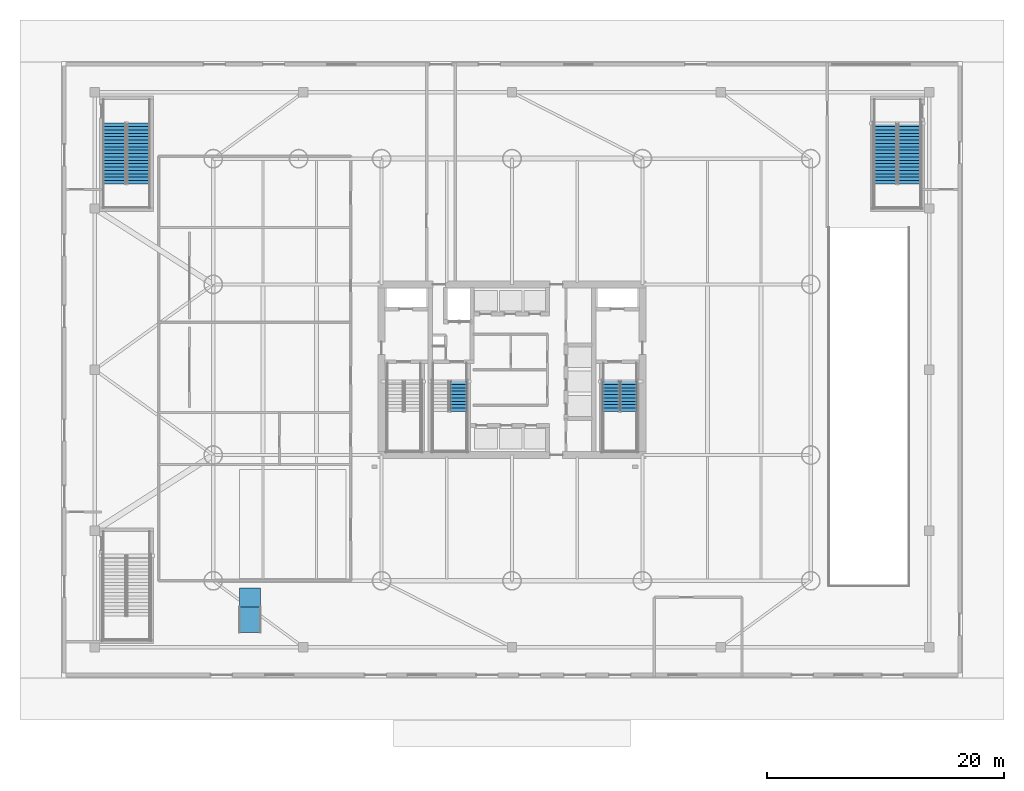
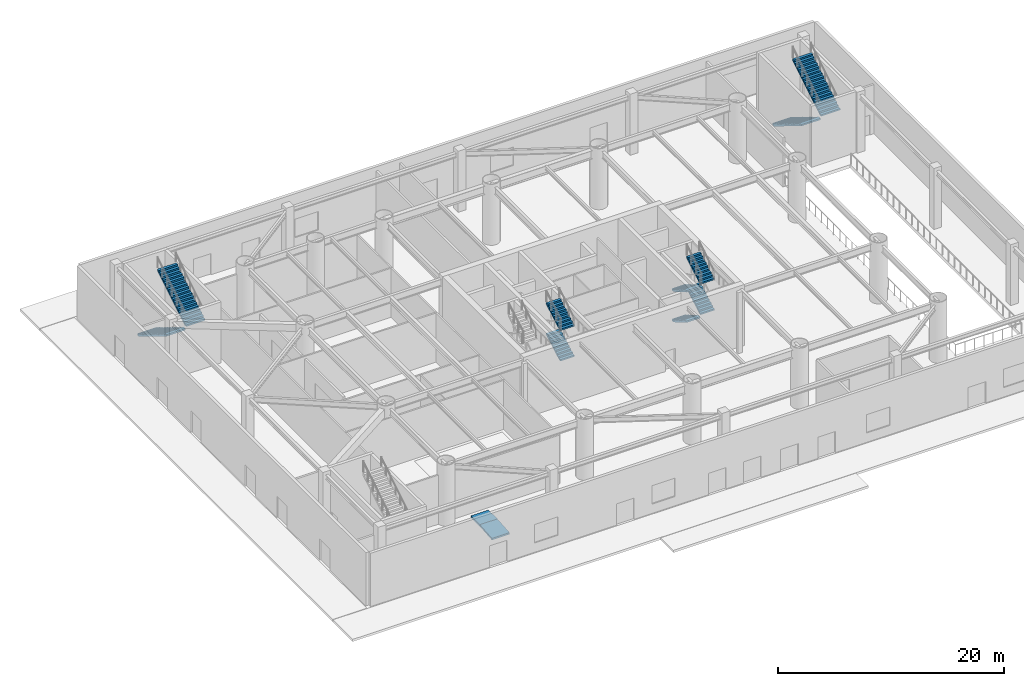
# One storey, part 8 of 15: 10 stair flights, 1 ramp, 1 ramp flight, 4 elements without a shape of their own.
"""IFC4 building model written with IfcOpenShell, lengths in metres."""

from ifc_helpers import new_model, si_unit, direction, frame, origin, place, context, subcontext, project, spatial, polyline, outline, extrude, material, layer, layer_set, type_object, element, aggregate, save


model = new_model("IFC4")

# Units and contexts
model_context = context("Model", 3, precision=1e-05, world=origin(), true_north=direction((0.0, 1.0)))
body_context = subcontext(model_context, "Body", "Model", "MODEL_VIEW")
ifc_project = project(units=[si_unit("LENGTHUNIT", "METRE"), si_unit("AREAUNIT", "SQUARE_METRE"), si_unit("VOLUMEUNIT", "CUBIC_METRE"), si_unit("PLANEANGLEUNIT", "RADIAN"), si_unit("MASSUNIT", "GRAM", prefix="KILO")], contexts=[model_context])

# Site, building, storey
site_placement = place(None, origin())
site = spatial("IfcSite", under=ifc_project, at=site_placement, CompositionType="ELEMENT")
building_placement = place(site_placement, origin())
building = spatial("IfcBuilding", under=site, at=building_placement, Name="Bramvorn Convention Spire", CompositionType="ELEMENT")
storey_placement = place(building_placement, origin())
storey = spatial("IfcBuildingStorey", under=building, at=storey_placement, Name="L00", CompositionType="ELEMENT", Elevation=0.0)

# Stair, stair flights
ifc_material_1 = material(Name="Concrete C40/50 Grand Exit Stair", Category="concrete")
stair_type_1 = type_object("IfcStairType", Name="ST-PODIUM-1950", PredefinedType="HALF_TURN_STAIR", material=ifc_material_1)
stair_1_placement = place(storey_placement, origin())
stair_1 = element("IfcStair", 1, at=stair_1_placement, inside=storey, type_object=stair_type_1, Name="L00 Protected Exit Stair ST5", PredefinedType="HALF_TURN_STAIR")
ifc_material_2 = material(Name="Concrete C40/50 Precast Stair Flight", Category="concrete")
stair_flight_type_1 = type_object("IfcStairFlightType", Name="STF-PODIUM-1950", PredefinedType="STRAIGHT", material=ifc_material_2)
stair_flight_1_placement = place(storey_placement, frame((69.4951171875, 46.800048828125, 0.0), z_axis=(0.0, 0.0, 1.0), x_axis=(0.0, -1.0, 0.0)))
stair_flight_1 = element("IfcStairFlight", 2, at=stair_flight_1_placement, type_object=stair_flight_type_1, Name="ST5 flight 1", NumberOfRisers=19, NumberOfTreads=18, PredefinedType="STRAIGHT", RiserHeight=0.173684211, TreadLength=0.285, context=body_context, shape_type="SweptSolid", body=[
    extrude(outline(polyline([(0.0, 0.0), (0.0, 0.173583984375), (0.284912109375, 0.173583984375), (0.284912109375, 0.347412109375), (0.570068359375, 0.347412109375), (0.570068359375, 0.52099609375), (0.85498046875, 0.52099609375), (0.85498046875, 0.69482421875), (1.139892578125, 0.69482421875), (1.139892578125, 0.868408203125), (1.425048828125, 0.868408203125), (1.425048828125, 1.0419921875), (1.7099609375, 1.0419921875), (1.7099609375, 1.2158203125), (1.9951171875, 1.2158203125), (1.9951171875, 1.389404296875), (2.280029296875, 1.389404296875), (2.280029296875, 1.563232421875), (2.56494140625, 1.563232421875), (2.56494140625, 1.73681640625), (2.85009765625, 1.73681640625), (2.85009765625, 1.91064453125), (3.135009765625, 1.91064453125), (3.135009765625, 2.084228515625), (3.419921875, 2.084228515625), (3.419921875, 2.2578125), (3.705078125, 2.2578125), (3.705078125, 2.431640625), (3.989990234375, 2.431640625), (3.989990234375, 2.605224609375), (4.27490234375, 2.605224609375), (4.27490234375, 2.779052734375), (4.56005859375, 2.779052734375), (4.56005859375, 2.95263671875), (4.844970703125, 2.95263671875), (4.844970703125, 3.126220703125), (5.1298828125, 3.126220703125), (5.1298828125, 3.300048828125), (5.1298828125, 2.95068359375), (0.2880859375, 0.0), (0.0, 0.0)])), frame((0.0, 0.97509765625, 0.0), z_axis=(0.0, -1.0, 0.0), x_axis=(1.0, 0.0, 0.0)), (0.0, 0.0, 1.0), 1.949951171875),
])
stair_flight_2_placement = place(storey_placement, frame((71.52490234375, 41.669921875, 3.300048828125), z_axis=(0.0, 0.0, 1.0), x_axis=(0.0, 1.0, 0.0)))
stair_flight_2 = element("IfcStairFlight", 3, at=stair_flight_2_placement, type_object=stair_flight_type_1, Name="ST5 flight 2", NumberOfRisers=19, NumberOfTreads=18, PredefinedType="STRAIGHT", RiserHeight=0.173684211, TreadLength=0.285, context=body_context, shape_type="SweptSolid", body=[
    extrude(outline(polyline([(0.0, 0.0), (0.0, 0.173583984375), (0.284912109375, 0.173583984375), (0.284912109375, 0.347412109375), (0.570068359375, 0.347412109375), (0.570068359375, 0.52099609375), (0.85498046875, 0.52099609375), (0.85498046875, 0.69482421875), (1.139892578125, 0.69482421875), (1.139892578125, 0.868408203125), (1.425048828125, 0.868408203125), (1.425048828125, 1.0419921875), (1.7099609375, 1.0419921875), (1.7099609375, 1.2158203125), (1.9951171875, 1.2158203125), (1.9951171875, 1.389404296875), (2.280029296875, 1.389404296875), (2.280029296875, 1.563232421875), (2.56494140625, 1.563232421875), (2.56494140625, 1.73681640625), (2.85009765625, 1.73681640625), (2.85009765625, 1.91064453125), (3.135009765625, 1.91064453125), (3.135009765625, 2.084228515625), (3.419921875, 2.084228515625), (3.419921875, 2.2578125), (3.705078125, 2.2578125), (3.705078125, 2.431640625), (3.989990234375, 2.431640625), (3.989990234375, 2.605224609375), (4.27490234375, 2.605224609375), (4.27490234375, 2.779052734375), (4.56005859375, 2.779052734375), (4.56005859375, 2.95263671875), (4.844970703125, 2.95263671875), (4.844970703125, 3.126220703125), (5.1298828125, 3.126220703125), (5.1298828125, 3.300048828125), (5.1298828125, 2.95068359375), (0.2880859375, 0.0), (0.0, 0.0)])), frame((0.0, 0.97509765625, 0.0), z_axis=(0.0, -1.0, 0.0), x_axis=(1.0, 0.0, 0.0)), (0.0, 0.0, 1.0), 1.949951171875),
])
aggregate(stair_1, [stair_flight_1, stair_flight_2])

stair_2_placement = place(storey_placement, origin())
stair_2 = element("IfcStair", 4, at=stair_2_placement, inside=storey, type_object=stair_type_1, Name="L00 Protected Exit Stair ST6", PredefinedType="HALF_TURN_STAIR")
stair_flight_3_placement = place(storey_placement, frame((4.47509765625, 46.800048828125, 0.0), z_axis=(0.0, 0.0, 1.0), x_axis=(0.0, -1.0, 0.0)))
stair_flight_3 = element("IfcStairFlight", 5, at=stair_flight_3_placement, type_object=stair_flight_type_1, Name="ST6 flight 1", NumberOfRisers=19, NumberOfTreads=18, PredefinedType="STRAIGHT", RiserHeight=0.173684211, TreadLength=0.285, context=body_context, shape_type="SweptSolid", body=[
    extrude(outline(polyline([(0.0, 0.0), (0.0, 0.173583984375), (0.284912109375, 0.173583984375), (0.284912109375, 0.347412109375), (0.570068359375, 0.347412109375), (0.570068359375, 0.52099609375), (0.85498046875, 0.52099609375), (0.85498046875, 0.69482421875), (1.139892578125, 0.69482421875), (1.139892578125, 0.868408203125), (1.425048828125, 0.868408203125), (1.425048828125, 1.0419921875), (1.7099609375, 1.0419921875), (1.7099609375, 1.2158203125), (1.9951171875, 1.2158203125), (1.9951171875, 1.389404296875), (2.280029296875, 1.389404296875), (2.280029296875, 1.563232421875), (2.56494140625, 1.563232421875), (2.56494140625, 1.73681640625), (2.85009765625, 1.73681640625), (2.85009765625, 1.91064453125), (3.135009765625, 1.91064453125), (3.135009765625, 2.084228515625), (3.419921875, 2.084228515625), (3.419921875, 2.2578125), (3.705078125, 2.2578125), (3.705078125, 2.431640625), (3.989990234375, 2.431640625), (3.989990234375, 2.605224609375), (4.27490234375, 2.605224609375), (4.27490234375, 2.779052734375), (4.56005859375, 2.779052734375), (4.56005859375, 2.95263671875), (4.844970703125, 2.95263671875), (4.844970703125, 3.126220703125), (5.1298828125, 3.126220703125), (5.1298828125, 3.300048828125), (5.1298828125, 2.95068359375), (0.2880859375, 0.0), (0.0, 0.0)])), frame((0.0, 0.97509765625, 0.0), z_axis=(0.0, -1.0, 0.0), x_axis=(1.0, 0.0, 0.0)), (0.0, 0.0, 1.0), 1.949951171875),
])
stair_flight_4_placement = place(storey_placement, frame((6.5048828125, 41.669921875, 3.300048828125), z_axis=(0.0, 0.0, 1.0), x_axis=(0.0, 1.0, 0.0)))
stair_flight_4 = element("IfcStairFlight", 6, at=stair_flight_4_placement, type_object=stair_flight_type_1, Name="ST6 flight 2", NumberOfRisers=19, NumberOfTreads=18, PredefinedType="STRAIGHT", RiserHeight=0.173684211, TreadLength=0.285, context=body_context, shape_type="SweptSolid", body=[
    extrude(outline(polyline([(0.0, 0.0), (0.0, 0.173583984375), (0.284912109375, 0.173583984375), (0.284912109375, 0.347412109375), (0.570068359375, 0.347412109375), (0.570068359375, 0.52099609375), (0.85498046875, 0.52099609375), (0.85498046875, 0.69482421875), (1.139892578125, 0.69482421875), (1.139892578125, 0.868408203125), (1.425048828125, 0.868408203125), (1.425048828125, 1.0419921875), (1.7099609375, 1.0419921875), (1.7099609375, 1.2158203125), (1.9951171875, 1.2158203125), (1.9951171875, 1.389404296875), (2.280029296875, 1.389404296875), (2.280029296875, 1.563232421875), (2.56494140625, 1.563232421875), (2.56494140625, 1.73681640625), (2.85009765625, 1.73681640625), (2.85009765625, 1.91064453125), (3.135009765625, 1.91064453125), (3.135009765625, 2.084228515625), (3.419921875, 2.084228515625), (3.419921875, 2.2578125), (3.705078125, 2.2578125), (3.705078125, 2.431640625), (3.989990234375, 2.431640625), (3.989990234375, 2.605224609375), (4.27490234375, 2.605224609375), (4.27490234375, 2.779052734375), (4.56005859375, 2.779052734375), (4.56005859375, 2.95263671875), (4.844970703125, 2.95263671875), (4.844970703125, 3.126220703125), (5.1298828125, 3.126220703125), (5.1298828125, 3.300048828125), (5.1298828125, 2.95068359375), (0.2880859375, 0.0), (0.0, 0.0)])), frame((0.0, 0.97509765625, 0.0), z_axis=(0.0, -1.0, 0.0), x_axis=(1.0, 0.0, 0.0)), (0.0, 0.0, 1.0), 1.949951171875),
])
aggregate(stair_2, [stair_flight_3, stair_flight_4])

ifc_material_3 = material(Name="Concrete C40/50 Precast Stair", Category="concrete")
stair_type_2 = type_object("IfcStairType", Name="ST-TOWER-1550", PredefinedType="HALF_TURN_STAIR", material=ifc_material_3)
stair_3_placement = place(storey_placement, origin())
stair_3 = element("IfcStair", 7, at=stair_3_placement, inside=storey, type_object=stair_type_2, Name="L00 Protected Exit Stair ST2", PredefinedType="HALF_TURN_STAIR")
stair_flight_type_2 = type_object("IfcStairFlightType", Name="STF-TOWER-1550", PredefinedType="STRAIGHT", material=ifc_material_2)
stair_flight_5_placement = place(storey_placement, frame((46.35498046875, 25.050048828125, 0.0), z_axis=(0.0, 0.0, 1.0), x_axis=(0.0, -1.0, 0.0)))
stair_flight_5 = element("IfcStairFlight", 8, at=stair_flight_5_placement, type_object=stair_flight_type_2, Name="ST2 flight 1", NumberOfRisers=10, NumberOfTreads=9, PredefinedType="STRAIGHT", RiserHeight=0.165, TreadLength=0.285, context=body_context, shape_type="SweptSolid", body=[
    extrude(outline(polyline([(0.0, 0.0), (0.0, 0.1650390625), (0.284912109375, 0.1650390625), (0.284912109375, 0.330078125), (0.570068359375, 0.330078125), (0.570068359375, 0.4951171875), (0.85498046875, 0.4951171875), (0.85498046875, 0.659912109375), (1.139892578125, 0.659912109375), (1.139892578125, 0.824951171875), (1.425048828125, 0.824951171875), (1.425048828125, 0.989990234375), (1.7099609375, 0.989990234375), (1.7099609375, 1.155029296875), (1.9951171875, 1.155029296875), (1.9951171875, 1.320068359375), (2.280029296875, 1.320068359375), (2.280029296875, 1.485107421875), (2.56494140625, 1.485107421875), (2.56494140625, 1.64990234375), (2.56494140625, 1.311767578125), (0.299072265625, 0.0), (0.0, 0.0)])), frame((0.0, 0.705078125, 0.0), z_axis=(0.0, -1.0, 0.0), x_axis=(1.0, 0.0, 0.0)), (0.0, 0.0, 1.0), 1.409912109375),
])
stair_flight_6_placement = place(storey_placement, frame((47.844970703125, 22.485107421875, 1.64990234375), z_axis=(0.0, 0.0, 1.0), x_axis=(0.0, 1.0, 0.0)))
stair_flight_6 = element("IfcStairFlight", 9, at=stair_flight_6_placement, type_object=stair_flight_type_2, Name="ST2 flight 2", NumberOfRisers=10, NumberOfTreads=9, PredefinedType="STRAIGHT", RiserHeight=0.165, TreadLength=0.285, context=body_context, shape_type="SweptSolid", body=[
    extrude(outline(polyline([(0.0, 0.0), (0.0, 0.1650390625), (0.284912109375, 0.1650390625), (0.284912109375, 0.330078125), (0.570068359375, 0.330078125), (0.570068359375, 0.4951171875), (0.85498046875, 0.4951171875), (0.85498046875, 0.659912109375), (1.139892578125, 0.659912109375), (1.139892578125, 0.824951171875), (1.425048828125, 0.824951171875), (1.425048828125, 0.989990234375), (1.7099609375, 0.989990234375), (1.7099609375, 1.155029296875), (1.9951171875, 1.155029296875), (1.9951171875, 1.320068359375), (2.280029296875, 1.320068359375), (2.280029296875, 1.485107421875), (2.56494140625, 1.485107421875), (2.56494140625, 1.64990234375), (2.56494140625, 1.311767578125), (0.299072265625, 0.0), (0.0, 0.0)])), frame((0.0, 0.705078125, 0.0), z_axis=(0.0, -1.0, 0.0), x_axis=(1.0, 0.0, 0.0)), (0.0, 0.0, 1.0), 1.409912109375),
])
stair_flight_7_placement = place(storey_placement, frame((46.35498046875, 25.050048828125, 3.300048828125), z_axis=(0.0, 0.0, 1.0), x_axis=(0.0, -1.0, 0.0)))
stair_flight_7 = element("IfcStairFlight", 10, at=stair_flight_7_placement, type_object=stair_flight_type_2, Name="ST2 flight 3", NumberOfRisers=10, NumberOfTreads=9, PredefinedType="STRAIGHT", RiserHeight=0.165, TreadLength=0.285, context=body_context, shape_type="SweptSolid", body=[
    extrude(outline(polyline([(0.0, 0.0), (0.0, 0.1650390625), (0.284912109375, 0.1650390625), (0.284912109375, 0.330078125), (0.570068359375, 0.330078125), (0.570068359375, 0.4951171875), (0.85498046875, 0.4951171875), (0.85498046875, 0.659912109375), (1.139892578125, 0.659912109375), (1.139892578125, 0.824951171875), (1.425048828125, 0.824951171875), (1.425048828125, 0.989990234375), (1.7099609375, 0.989990234375), (1.7099609375, 1.155029296875), (1.9951171875, 1.155029296875), (1.9951171875, 1.320068359375), (2.280029296875, 1.320068359375), (2.280029296875, 1.485107421875), (2.56494140625, 1.485107421875), (2.56494140625, 1.64990234375), (2.56494140625, 1.311767578125), (0.299072265625, 0.0), (0.0, 0.0)])), frame((0.0, 0.705078125, 0.0), z_axis=(0.0, -1.0, 0.0), x_axis=(1.0, 0.0, 0.0)), (0.0, 0.0, 1.0), 1.409912109375),
])
stair_flight_8_placement = place(storey_placement, frame((47.844970703125, 22.485107421875, 4.949951171875), z_axis=(0.0, 0.0, 1.0), x_axis=(0.0, 1.0, 0.0)))
stair_flight_8 = element("IfcStairFlight", 11, at=stair_flight_8_placement, type_object=stair_flight_type_2, Name="ST2 flight 4", NumberOfRisers=10, NumberOfTreads=9, PredefinedType="STRAIGHT", RiserHeight=0.165, TreadLength=0.285, context=body_context, shape_type="SweptSolid", body=[
    extrude(outline(polyline([(0.0, 0.0), (0.0, 0.1650390625), (0.284912109375, 0.1650390625), (0.284912109375, 0.330078125), (0.570068359375, 0.330078125), (0.570068359375, 0.4951171875), (0.85498046875, 0.4951171875), (0.85498046875, 0.659912109375), (1.139892578125, 0.659912109375), (1.139892578125, 0.824951171875), (1.425048828125, 0.824951171875), (1.425048828125, 0.989990234375), (1.7099609375, 0.989990234375), (1.7099609375, 1.155029296875), (1.9951171875, 1.155029296875), (1.9951171875, 1.320068359375), (2.280029296875, 1.320068359375), (2.280029296875, 1.485107421875), (2.56494140625, 1.485107421875), (2.56494140625, 1.64990234375), (2.56494140625, 1.311767578125), (0.299072265625, 0.0), (0.0, 0.0)])), frame((0.0, 0.705078125, 0.0), z_axis=(0.0, -1.0, 0.0), x_axis=(1.0, 0.0, 0.0)), (0.0, 0.0, 1.0), 1.409912109375),
])
aggregate(stair_3, [stair_flight_5, stair_flight_6, stair_flight_7, stair_flight_8])

stair_4_placement = place(storey_placement, origin())
stair_4 = element("IfcStair", 12, at=stair_4_placement, inside=storey, type_object=stair_type_2, Name="L00 Protected Exit Stair ST3", PredefinedType="HALF_TURN_STAIR")
stair_flight_9_placement = place(storey_placement, frame((33.4951171875, 22.485107421875, 1.64990234375), z_axis=(0.0, 0.0, 1.0), x_axis=(0.0, 1.0, 0.0)))
stair_flight_9 = element("IfcStairFlight", 13, at=stair_flight_9_placement, type_object=stair_flight_type_2, Name="ST3 flight 2", NumberOfRisers=10, NumberOfTreads=9, PredefinedType="STRAIGHT", RiserHeight=0.165, TreadLength=0.285, context=body_context, shape_type="SweptSolid", body=[
    extrude(outline(polyline([(0.0, 0.0), (0.0, 0.1650390625), (0.284912109375, 0.1650390625), (0.284912109375, 0.330078125), (0.570068359375, 0.330078125), (0.570068359375, 0.4951171875), (0.85498046875, 0.4951171875), (0.85498046875, 0.659912109375), (1.139892578125, 0.659912109375), (1.139892578125, 0.824951171875), (1.425048828125, 0.824951171875), (1.425048828125, 0.989990234375), (1.7099609375, 0.989990234375), (1.7099609375, 1.155029296875), (1.9951171875, 1.155029296875), (1.9951171875, 1.320068359375), (2.280029296875, 1.320068359375), (2.280029296875, 1.485107421875), (2.56494140625, 1.485107421875), (2.56494140625, 1.64990234375), (2.56494140625, 1.311767578125), (0.299072265625, 0.0), (0.0, 0.0)])), frame((0.0, 0.705078125, 0.0), z_axis=(0.0, -1.0, 0.0), x_axis=(1.0, 0.0, 0.0)), (0.0, 0.0, 1.0), 1.409912109375),
])
stair_flight_10_placement = place(storey_placement, frame((33.4951171875, 22.485107421875, 4.949951171875), z_axis=(0.0, 0.0, 1.0), x_axis=(0.0, 1.0, 0.0)))
stair_flight_10 = element("IfcStairFlight", 14, at=stair_flight_10_placement, type_object=stair_flight_type_2, Name="ST3 flight 4", NumberOfRisers=10, NumberOfTreads=9, PredefinedType="STRAIGHT", RiserHeight=0.165, TreadLength=0.285, context=body_context, shape_type="SweptSolid", body=[
    extrude(outline(polyline([(0.0, 0.0), (0.0, 0.1650390625), (0.284912109375, 0.1650390625), (0.284912109375, 0.330078125), (0.570068359375, 0.330078125), (0.570068359375, 0.4951171875), (0.85498046875, 0.4951171875), (0.85498046875, 0.659912109375), (1.139892578125, 0.659912109375), (1.139892578125, 0.824951171875), (1.425048828125, 0.824951171875), (1.425048828125, 0.989990234375), (1.7099609375, 0.989990234375), (1.7099609375, 1.155029296875), (1.9951171875, 1.155029296875), (1.9951171875, 1.320068359375), (2.280029296875, 1.320068359375), (2.280029296875, 1.485107421875), (2.56494140625, 1.485107421875), (2.56494140625, 1.64990234375), (2.56494140625, 1.311767578125), (0.299072265625, 0.0), (0.0, 0.0)])), frame((0.0, 0.705078125, 0.0), z_axis=(0.0, -1.0, 0.0), x_axis=(1.0, 0.0, 0.0)), (0.0, 0.0, 1.0), 1.409912109375),
])
aggregate(stair_4, [stair_flight_9, stair_flight_10])

# Ramp
ifc_material_4 = material(Name="Concrete C40/50 Accessible Concourse Ramp", Category="concrete")
ramp_type = type_object("IfcRampType", Name="RMP-ADA-L00", PredefinedType="STRAIGHT_RUN_RAMP", material=ifc_material_4)
ramp_placement = place(storey_placement, origin())
element("IfcRamp", 15, at=ramp_placement, inside=storey, type_object=ramp_type, Name="L00 Accessible Concourse Ramp Landing", PredefinedType="STRAIGHT_RUN_RAMP", context=body_context, shape_type="SweptSolid", body=[
    extrude(outline(polyline([(15.0, 6.0), (16.800048828125, 6.0), (16.800048828125, 7.60009765625), (15.0, 7.60009765625), (15.0, 6.0)])), origin(), (0.0, 0.0, 1.0), 0.179931640625),
])

# Ramp flight
ifc_material_5 = material(Name="Concrete C40/50 Accessible Concourse Ramp Flight", Category="concrete")
ifc_layer = layer(ifc_material_5, 0.25)
ifc_layer_set = layer_set([ifc_layer], Name="Concrete C40/50 Accessible Concourse Ramp Flight - RMPF-ADA-L00")
ramp_flight_type = type_object("IfcRampFlightType", Name="RMPF-ADA-L00", PredefinedType="STRAIGHT", material=ifc_layer_set)
ramp_flight_placement = place(storey_placement, frame((15.89990234375, 3.840087890625, 0.0), z_axis=(0.0, 0.0, 1.0), x_axis=(0.0, 1.0, 0.0)))
element("IfcRampFlight", 16, at=ramp_flight_placement, inside=storey, type_object=ramp_flight_type, Name="L00 Accessible Concourse 1:12 Ramp Flight", PredefinedType="STRAIGHT", context=body_context, shape_type="SweptSolid", body=[
    extrude(outline(polyline([(0.0, 0.0), (0.0, -0.179931640625), (2.159912109375, 0.0), (2.159912109375, 0.179931640625), (0.0, 0.0)])), frame((0.0, 0.89990234375, 0.0), z_axis=(0.0, -1.0, 0.0), x_axis=(1.0, 0.0, 0.0)), (0.0, 0.0, 1.0), 1.800048828125),
])

save(model, "model.ifc")
